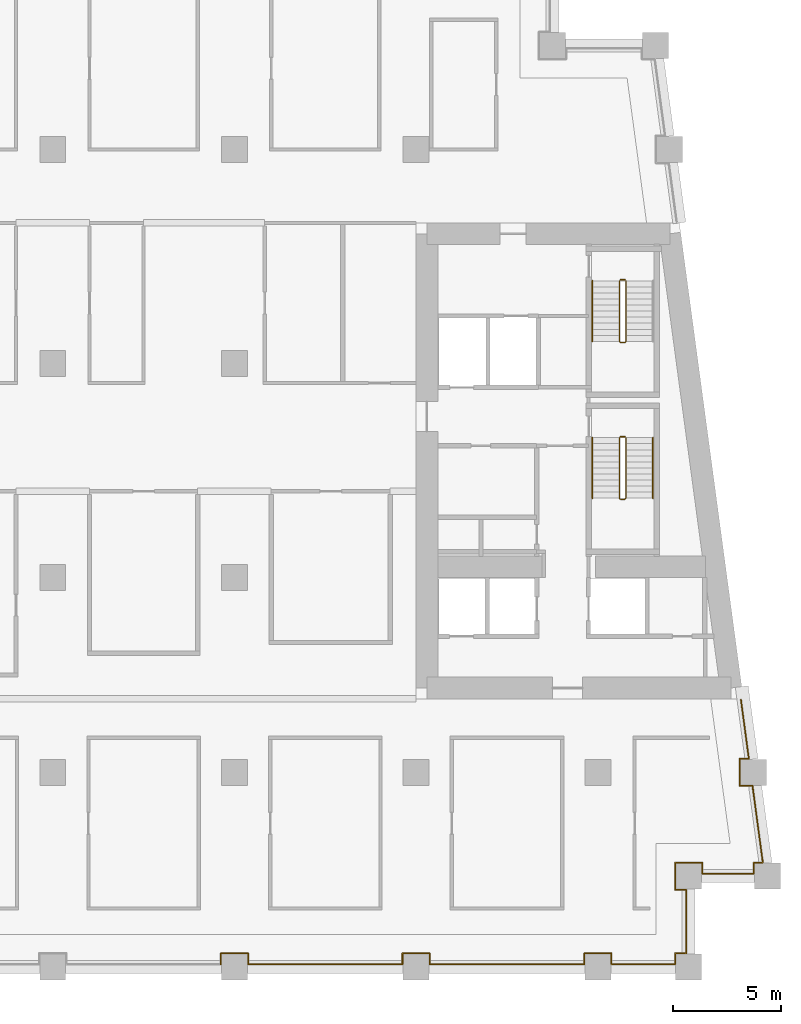
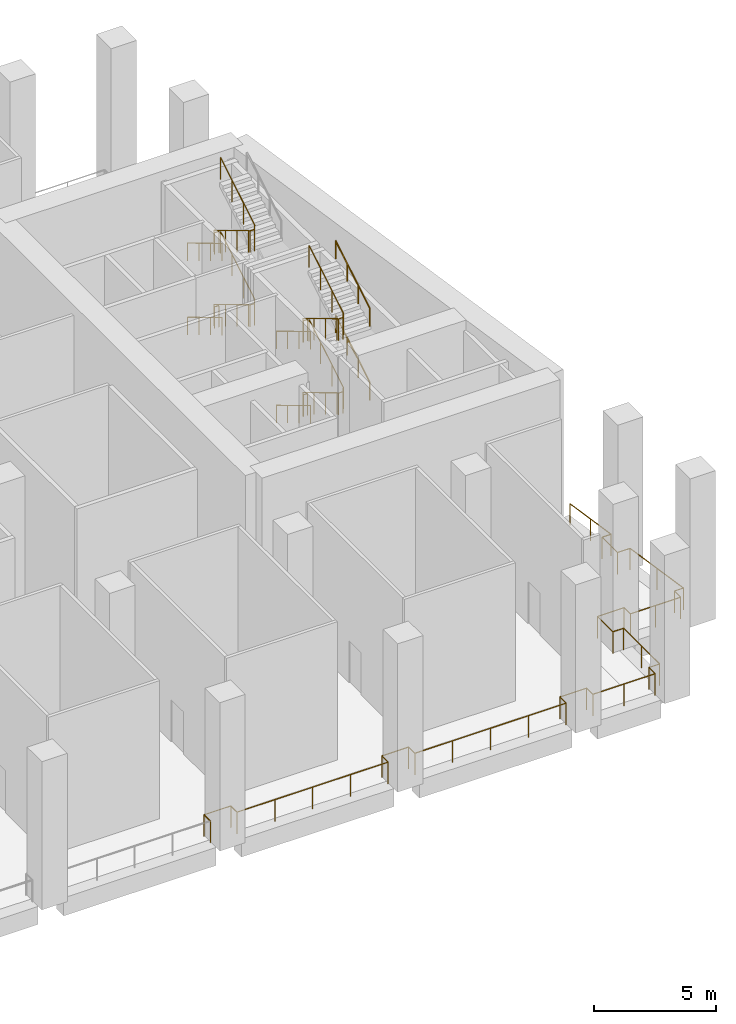
# One storey, part 9 of 10: 22 railings.
"""IFC4 building model written with IfcOpenShell, lengths in metres."""

import ifcopenshell
import ifcopenshell.guid

model = None  # the IFC model being written
_history = None  # IfcOwnerHistory: only IFC2X3 demands one
_inside = {}  # id of a spatial element -> (the spatial element, [elements in it])
_under = {}  # id of a project, library or spatial element -> (it, [spatial elements below it])
_declared = {}  # id of a project -> (the project, [libraries it declares])
_typed = {}  # id of a type object -> (the type object, [elements of that type])
_made_of = {}  # id of a material, layer set ... -> (it, [elements and type objects made of it])


def new_model(schema):
    """Start an empty IFC model of exactly this schema.

    Asked for "IFC4X3", IfcOpenShell would pick the latest addendum, in which some entities
    have other attributes; the version numbers below select the first issue.
    IFC2X3 requires an IfcOwnerHistory on every rooted entity: one is made here for all.
    """
    global model, _history
    if schema == "IFC4X3":
        model = ifcopenshell.file(schema_version=(4, 3, 0, 0))
    else:
        model = ifcopenshell.file(schema=schema)
    _inside.clear()
    _under.clear()
    _declared.clear()
    _typed.clear()
    _made_of.clear()
    _history = None
    if model.schema == "IFC2X3":
        org = make("IfcOrganization", Name="unknown")
        user = make(
            "IfcPersonAndOrganization",
            ThePerson=make("IfcPerson", FamilyName="unknown"),
            TheOrganization=org,
        )
        app = make(
            "IfcApplication",
            ApplicationDeveloper=org,
            Version="unknown",
            ApplicationFullName="unknown",
            ApplicationIdentifier="unknown",
        )
        _history = make(
            "IfcOwnerHistory",
            OwningUser=user,
            OwningApplication=app,
            ChangeAction="ADDED",
            CreationDate=0,
        )
    return model


def make(cls, **values):
    """One entity of the class cls with the attributes given. An attribute that is None is left unset."""
    return model.create_entity(
        cls, **{name: value for name, value in values.items() if value is not None}
    )


def rooted(cls, **values):
    """An entity with a GlobalId (a new one), such as an element, a storey or a relation."""
    return make(cls, GlobalId=ifcopenshell.guid.new(), OwnerHistory=_history, **values)


def si_unit(unit_type, name, prefix=None):
    """IfcSIUnit, for example si_unit("LENGTHUNIT", "METRE", prefix="MILLI")."""
    return make("IfcSIUnit", UnitType=unit_type, Prefix=prefix, Name=name)


def assignment(units):
    """IfcUnitAssignment: the units of a project."""
    return None if units is None else make("IfcUnitAssignment", Units=units)


def point(xyz):
    """IfcCartesianPoint."""
    return None if xyz is None else make("IfcCartesianPoint", Coordinates=xyz)


def direction(xyz):
    """IfcDirection."""
    return None if xyz is None else make("IfcDirection", DirectionRatios=xyz)


def frame(location, z_axis=None, x_axis=None):
    """IfcAxis2Placement3D, a coordinate frame: its origin and axes. An axis left out is left unset."""
    return make(
        "IfcAxis2Placement3D",
        Location=point(location),
        Axis=direction(z_axis),
        RefDirection=direction(x_axis),
    )


def frame_2d(location, x_axis=None):
    """IfcAxis2Placement2D, a coordinate frame in the plane: its origin and x axis."""
    return make(
        "IfcAxis2Placement2D", Location=point(location), RefDirection=direction(x_axis)
    )


def origin():
    """The frame at (0, 0, 0) with its axes left unset."""
    return frame((0.0, 0.0, 0.0))


def origin_2d():
    """The frame at (0, 0) in the plane with its x axis left unset."""
    return frame_2d((0.0, 0.0))


def place(relative_to, where):
    """IfcLocalPlacement: puts the frame where relative to a parent placement (None: the world)."""
    return make(
        "IfcLocalPlacement", PlacementRelTo=relative_to, RelativePlacement=where
    )


def context(
    kind, dimensions, precision=None, world=None, true_north=None, identifier=None
):
    """IfcGeometricRepresentationContext, for example the 3D "Model" context."""
    return make(
        "IfcGeometricRepresentationContext",
        ContextIdentifier=identifier,
        ContextType=kind,
        CoordinateSpaceDimension=dimensions,
        Precision=precision,
        WorldCoordinateSystem=world,
        TrueNorth=true_north,
    )


def subcontext(parent, identifier, kind, view, scale=None):
    """IfcGeometricRepresentationSubContext, for example "Body" below "Model"."""
    return make(
        "IfcGeometricRepresentationSubContext",
        ContextIdentifier=identifier,
        ContextType=kind,
        ParentContext=parent,
        TargetScale=scale,
        TargetView=view,
    )


def project(units=None, contexts=None):
    """IfcProject with its units and contexts."""
    return rooted(
        "IfcProject",
        Name="project",
        RepresentationContexts=contexts,
        UnitsInContext=assignment(units),
    )


def spatial(cls, under=None, at=None, **own):
    """A site, building, storey or space (cls), placed at a placement, below another one or the project."""
    s = rooted(cls, ObjectPlacement=at, **own)
    if under is not None:
        _under.setdefault(under.id(), (under, []))[1].append(s)
    return s


def profile(cls, at=None, kind="AREA", **sizes):
    """A parametric profile (cls). Its sizes go by their IFC names, for example OverallWidth=200.0."""
    return make(cls, ProfileType=kind, Position=at, **sizes)


def circle(**sizes):
    """IfcCircleProfileDef."""
    return profile("IfcCircleProfileDef", **sizes)


def extrude(swept, where, along, depth):
    """IfcExtrudedAreaSolid: the profile swept, set in the frame where, extruded along a direction by depth."""
    return make(
        "IfcExtrudedAreaSolid",
        SweptArea=swept,
        Position=where,
        ExtrudedDirection=direction(along),
        Depth=depth,
    )


def shape(context_of_items, identifier, shape_type, items):
    """IfcShapeRepresentation: the items that make up one representation, for example the "Body"."""
    return make(
        "IfcShapeRepresentation",
        ContextOfItems=context_of_items,
        RepresentationIdentifier=identifier,
        RepresentationType=shape_type,
        Items=items,
    )


def material(Name=None, Category=None):
    """IfcMaterial."""
    return make("IfcMaterial", Name=Name, Category=Category)


def made_of(thing, what):
    """Note that an element or type object is made of a material, layer set ...; save() writes the relation."""
    if what is not None:
        _made_of.setdefault(what.id(), (what, []))[1].append(thing)
    return thing


def type_object(cls, material=None, **own):
    """A type object (cls), such as IfcWallType, which elements share."""
    return made_of(rooted(cls, **own), material)


def element(
    cls,
    number,
    at=None,
    inside=None,
    cuts=None,
    type_object=None,
    material=None,
    context=None,
    identifier="Body",
    shape_type=None,
    held_by="IfcProductDefinitionShape",
    body=None,
    shapes=None,
    **own,
):
    """One element of the class cls, such as IfcWall. Its Tag is "e" and its number.

    at: its placement. inside: the storey or other place that contains it. cuts: it is an
    opening in that element (IfcRelVoidsElement). A single representation is given by context,
    identifier, shape_type and body (its items); several are given by shapes. held_by: the class
    of the entity that holds the representations. save() writes the other relations.
    """
    e = rooted(cls, Tag="e%d" % number, ObjectPlacement=at, **own)
    if body is not None:
        shapes = [shape(context, identifier, shape_type, body)]
    if shapes is not None:
        e.Representation = make(held_by, Representations=shapes)
    if inside is not None:
        _inside.setdefault(inside.id(), (inside, []))[1].append(e)
    if cuts is not None:
        rooted(
            "IfcRelVoidsElement", RelatingBuildingElement=cuts, RelatedOpeningElement=e
        )
    if type_object is not None:
        _typed.setdefault(type_object.id(), (type_object, []))[1].append(e)
    return made_of(e, material)


def aggregate(whole, parts):
    """IfcRelAggregates: a whole, such as a stair, and the parts it consists of."""
    return rooted("IfcRelAggregates", RelatingObject=whole, RelatedObjects=parts)


def save(model, path):
    """Write the relations noted so far, then the file.

    IfcRelAggregates (storeys below a building ...), IfcRelContainedInSpatialStructure (elements
    in a storey), IfcRelDefinesByType, IfcRelAssociatesMaterial and IfcRelDeclares: one each for
    every whole, place, type object, material and project.
    """
    for whole, parts in _under.values():
        aggregate(whole, parts)
    for where, things in _inside.values():
        rooted(
            "IfcRelContainedInSpatialStructure",
            RelatedElements=things,
            RelatingStructure=where,
        )
    for kind, things in _typed.values():
        rooted("IfcRelDefinesByType", RelatedObjects=things, RelatingType=kind)
    for what, things in _made_of.values():
        rooted("IfcRelAssociatesMaterial", RelatedObjects=things, RelatingMaterial=what)
    for by, libraries in _declared.values():
        rooted("IfcRelDeclares", RelatingContext=by, RelatedDefinitions=libraries)
    model.write(path)


model = new_model("IFC4")

# Units and contexts
model_context = context("Model", 3, precision=1e-05, world=origin(), true_north=direction((0.0, 1.0)))
body_context = subcontext(model_context, "Body", "Model", "MODEL_VIEW")
ifc_project = project(units=[si_unit("LENGTHUNIT", "METRE"), si_unit("AREAUNIT", "SQUARE_METRE"), si_unit("VOLUMEUNIT", "CUBIC_METRE"), si_unit("PLANEANGLEUNIT", "RADIAN"), si_unit("MASSUNIT", "GRAM", prefix="KILO")], contexts=[model_context])

# Site, building, storey
site_placement = place(None, origin())
site = spatial("IfcSite", under=ifc_project, at=site_placement, CompositionType="ELEMENT")
building_placement = place(site_placement, origin())
building = spatial("IfcBuilding", under=site, at=building_placement, Name="Candeia Pilgrim Tower and Theatre", CompositionType="ELEMENT")
storey_placement = place(building_placement, frame((0.0, 0.0, 135.39990234375)))
storey = spatial("IfcBuildingStorey", under=building, at=storey_placement, Name="L32", CompositionType="ELEMENT", Elevation=135.39990234375)

# Railings
ifc_material_1 = material(Name="Stainless steel balustrade", Category="steel")
railing_type_1 = type_object("IfcRailingType", Name="G1 loggia guard 1100", PredefinedType="GUARDRAIL", material=ifc_material_1)
railing_1_placement = place(storey_placement, frame((141.016357421875, 110.35009765625, 0.0)))
element("IfcRailing", 1, at=railing_1_placement, inside=storey, type_object=railing_type_1, Name="Guard L32.17", PredefinedType="GUARDRAIL", context=body_context, shape_type="SweptSolid", body=[
    extrude(circle(Radius=0.02392578125, at=origin_2d()), frame((0.0, 0.0, 1.076171875), z_axis=(0.1334220927, -0.991059304572, 0.0), x_axis=(0.991059304572, 0.1334220927, 0.0)), (0.0, 0.0, 1.0), 2.744873046875),
    extrude(circle(Radius=0.02392578125, at=origin_2d()), frame((0.3662109375, -2.72021484375, 1.076171875), z_axis=(-1.0, 0.0, 0.0), x_axis=(0.0, -1.0, 0.0)), (0.0, 0.0, 1.0), 0.424072265625),
    extrude(circle(Radius=0.02392578125, at=origin_2d()), frame((-0.057861328125, -2.72021484375, 1.076171875), z_axis=(0.0, -1.0, 0.0), x_axis=(1.0, 0.0, 0.0)), (0.0, 0.0, 1.0), 1.259765625),
    extrude(circle(Radius=0.02392578125, at=origin_2d()), frame((-0.057861328125, -3.97998046875, 1.076171875), z_axis=(1.0, 0.0, 0.0), x_axis=(0.0, 1.0, 0.0)), (0.0, 0.0, 1.0), 0.59375),
    extrude(circle(Radius=0.02099609375, at=origin_2d()), origin(), (0.0, 0.0, 1.0), 1.052001953125),
    extrude(circle(Radius=0.02099609375, at=origin_2d()), frame((0.18310546875, -1.360107421875, 0.0)), (0.0, 0.0, 1.0), 1.052001953125),
    extrude(circle(Radius=0.02099609375, at=origin_2d()), frame((0.3662109375, -2.72021484375, 0.0)), (0.0, 0.0, 1.0), 1.052001953125),
    extrude(circle(Radius=0.02099609375, at=origin_2d()), frame((-0.057861328125, -2.72021484375, 0.0)), (0.0, 0.0, 1.0), 1.052001953125),
    extrude(circle(Radius=0.02099609375, at=origin_2d()), frame((-0.057861328125, -3.97998046875, 0.0)), (0.0, 0.0, 1.0), 1.052001953125),
    extrude(circle(Radius=0.02099609375, at=origin_2d()), frame((0.535888671875, -3.97998046875, 0.0)), (0.0, 0.0, 1.0), 1.052001953125),
])
railing_2_placement = place(storey_placement, frame((141.55224609375, 106.3701171875, 0.0)))
element("IfcRailing", 2, at=railing_2_placement, inside=storey, type_object=railing_type_1, Name="Guard L32.18", PredefinedType="GUARDRAIL", context=body_context, shape_type="SweptSolid", body=[
    extrude(circle(Radius=0.02392578125, at=origin_2d()), frame((0.0, 0.0, 1.076171875), z_axis=(0.133417176173, -0.991059966451, 0.0), x_axis=(0.991059966451, 0.133417176173, 0.0)), (0.0, 0.0, 1.0), 3.572021484375),
    extrude(circle(Radius=0.02392578125, at=origin_2d()), frame((0.4765625, -3.5400390625, 1.076171875), z_axis=(-1.0, 0.0, 0.0), x_axis=(0.0, -1.0, 0.0)), (0.0, 0.0, 1.0), 0.424072265625),
    extrude(circle(Radius=0.02392578125, at=origin_2d()), frame((0.052490234375, -3.5400390625, 1.076171875), z_axis=(0.0, -1.0, 0.0), x_axis=(1.0, 0.0, 0.0)), (0.0, 0.0, 1.0), 0.510009765625),
    extrude(circle(Radius=0.02392578125, at=origin_2d()), frame((0.052490234375, -4.050048828125, 1.076171875), z_axis=(-1.0, 0.0, 0.0), x_axis=(0.0, -1.0, 0.0)), (0.0, 0.0, 1.0), 2.374755859375),
    extrude(circle(Radius=0.02392578125, at=origin_2d()), frame((-2.322265625, -4.050048828125, 1.076171875), z_axis=(0.0, 1.0, 0.0), x_axis=(-1.0, 0.0, 0.0)), (0.0, 0.0, 1.0), 0.510009765625),
    extrude(circle(Radius=0.02099609375, at=origin_2d()), origin(), (0.0, 0.0, 1.0), 1.052001953125),
    extrude(circle(Radius=0.02099609375, at=origin_2d()), frame((0.23828125, -1.77001953125, 0.0)), (0.0, 0.0, 1.0), 1.052001953125),
    extrude(circle(Radius=0.02099609375, at=origin_2d()), frame((0.4765625, -3.5400390625, 0.0)), (0.0, 0.0, 1.0), 1.052001953125),
    extrude(circle(Radius=0.02099609375, at=origin_2d()), frame((0.052490234375, -3.5400390625, 0.0)), (0.0, 0.0, 1.0), 1.052001953125),
    extrude(circle(Radius=0.02099609375, at=origin_2d()), frame((0.052490234375, -4.050048828125, 0.0)), (0.0, 0.0, 1.0), 1.052001953125),
    extrude(circle(Radius=0.02099609375, at=origin_2d()), frame((-1.134765625, -4.050048828125, 0.0)), (0.0, 0.0, 1.0), 1.052001953125),
    extrude(circle(Radius=0.02099609375, at=origin_2d()), frame((-2.322265625, -4.050048828125, 0.0)), (0.0, 0.0, 1.0), 1.052001953125),
    extrude(circle(Radius=0.02099609375, at=origin_2d()), frame((-2.322265625, -3.5400390625, 0.0)), (0.0, 0.0, 1.0), 1.052001953125),
])
railing_3_placement = place(storey_placement, frame((139.22998046875, 102.830078125, 0.0)))
element("IfcRailing", 3, at=railing_3_placement, inside=storey, type_object=railing_type_1, Name="Guard L32.19", PredefinedType="GUARDRAIL", context=body_context, shape_type="SweptSolid", body=[
    extrude(circle(Radius=0.02392578125, at=origin_2d()), frame((0.0, 0.0, 1.076171875), z_axis=(-1.0, 0.0, 0.0), x_axis=(0.0, -1.0, 0.0)), (0.0, 0.0, 1.0), 1.260009765625),
    extrude(circle(Radius=0.02392578125, at=origin_2d()), frame((-1.260009765625, 0.0, 1.076171875), z_axis=(0.0, -1.0, 0.0), x_axis=(1.0, 0.0, 0.0)), (0.0, 0.0, 1.0), 1.260009765625),
    extrude(circle(Radius=0.02392578125, at=origin_2d()), frame((-1.260009765625, -1.260009765625, 1.076171875), z_axis=(1.0, 0.0, 0.0), x_axis=(0.0, 1.0, 0.0)), (0.0, 0.0, 1.0), 0.510009765625),
    extrude(circle(Radius=0.02392578125, at=origin_2d()), frame((-0.75, -1.260009765625, 1.076171875), z_axis=(0.0, -1.0, 0.0), x_axis=(1.0, 0.0, 0.0)), (0.0, 0.0, 1.0), 2.940185546875),
    extrude(circle(Radius=0.02392578125, at=origin_2d()), frame((-0.75, -4.2001953125, 1.076171875), z_axis=(-1.0, 0.0, 0.0), x_axis=(0.0, -1.0, 0.0)), (0.0, 0.0, 1.0), 0.510009765625),
    extrude(circle(Radius=0.02392578125, at=origin_2d()), frame((-1.260009765625, -4.2001953125, 1.076171875), z_axis=(0.0, -1.0, 0.0), x_axis=(1.0, 0.0, 0.0)), (0.0, 0.0, 1.0), 0.509765625),
    extrude(circle(Radius=0.02099609375, at=origin_2d()), origin(), (0.0, 0.0, 1.0), 1.052001953125),
    extrude(circle(Radius=0.02099609375, at=origin_2d()), frame((-1.260009765625, 0.0, 0.0)), (0.0, 0.0, 1.0), 1.052001953125),
    extrude(circle(Radius=0.02099609375, at=origin_2d()), frame((-1.260009765625, -1.260009765625, 0.0)), (0.0, 0.0, 1.0), 1.052001953125),
    extrude(circle(Radius=0.02099609375, at=origin_2d()), frame((-0.75, -1.260009765625, 0.0)), (0.0, 0.0, 1.0), 1.052001953125),
    extrude(circle(Radius=0.02099609375, at=origin_2d()), frame((-0.75, -2.72998046875, 0.0)), (0.0, 0.0, 1.0), 1.052001953125),
    extrude(circle(Radius=0.02099609375, at=origin_2d()), frame((-0.75, -4.2001953125, 0.0)), (0.0, 0.0, 1.0), 1.052001953125),
    extrude(circle(Radius=0.02099609375, at=origin_2d()), frame((-1.260009765625, -4.2001953125, 0.0)), (0.0, 0.0, 1.0), 1.052001953125),
    extrude(circle(Radius=0.02099609375, at=origin_2d()), frame((-1.260009765625, -4.7099609375, 0.0)), (0.0, 0.0, 1.0), 1.052001953125),
])
railing_4_placement = place(storey_placement, frame((137.969970703125, 98.1201171875, 0.0)))
element("IfcRailing", 4, at=railing_4_placement, inside=storey, type_object=railing_type_1, Name="Guard L32.20", PredefinedType="GUARDRAIL", context=body_context, shape_type="SweptSolid", body=[
    extrude(circle(Radius=0.02392578125, at=origin_2d()), frame((0.0, 0.0, 1.076171875), z_axis=(-1.0, 0.0, 0.0), x_axis=(0.0, -1.0, 0.0)), (0.0, 0.0, 1.0), 2.93994140625),
    extrude(circle(Radius=0.02392578125, at=origin_2d()), frame((-2.93994140625, 0.0, 1.076171875), z_axis=(0.0, 1.0, 0.0), x_axis=(-1.0, 0.0, 0.0)), (0.0, 0.0, 1.0), 0.509765625),
    extrude(circle(Radius=0.02392578125, at=origin_2d()), frame((-2.93994140625, 0.509765625, 1.076171875), z_axis=(-1.0, 0.0, 0.0), x_axis=(0.0, -1.0, 0.0)), (0.0, 0.0, 1.0), 1.260009765625),
    extrude(circle(Radius=0.02392578125, at=origin_2d()), frame((-4.199951171875, 0.509765625, 1.076171875), z_axis=(0.0, -1.0, 0.0), x_axis=(1.0, 0.0, 0.0)), (0.0, 0.0, 1.0), 0.509765625),
    extrude(circle(Radius=0.02099609375, at=origin_2d()), origin(), (0.0, 0.0, 1.0), 1.052001953125),
    extrude(circle(Radius=0.02099609375, at=origin_2d()), frame((-1.469970703125, 0.0, 0.0)), (0.0, 0.0, 1.0), 1.052001953125),
    extrude(circle(Radius=0.02099609375, at=origin_2d()), frame((-2.93994140625, 0.0, 0.0)), (0.0, 0.0, 1.0), 1.052001953125),
    extrude(circle(Radius=0.02099609375, at=origin_2d()), frame((-2.93994140625, 0.509765625, 0.0)), (0.0, 0.0, 1.0), 1.052001953125),
    extrude(circle(Radius=0.02099609375, at=origin_2d()), frame((-4.199951171875, 0.509765625, 0.0)), (0.0, 0.0, 1.0), 1.052001953125),
    extrude(circle(Radius=0.02099609375, at=origin_2d()), frame((-4.199951171875, 0.0, 0.0)), (0.0, 0.0, 1.0), 1.052001953125),
])
railing_5_placement = place(storey_placement, frame((133.77001953125, 98.1201171875, 0.0)))
element("IfcRailing", 5, at=railing_5_placement, inside=storey, type_object=railing_type_1, Name="Guard L32.21", PredefinedType="GUARDRAIL", context=body_context, shape_type="SweptSolid", body=[
    extrude(circle(Radius=0.02392578125, at=origin_2d()), frame((0.0, 0.0, 1.076171875), z_axis=(-1.0, 0.0, 0.0), x_axis=(0.0, -1.0, 0.0)), (0.0, 0.0, 1.0), 7.14013671875),
    extrude(circle(Radius=0.02392578125, at=origin_2d()), frame((-7.14013671875, 0.0, 1.076171875), z_axis=(0.0, 1.0, 0.0), x_axis=(-1.0, 0.0, 0.0)), (0.0, 0.0, 1.0), 0.509765625),
    extrude(circle(Radius=0.02099609375, at=origin_2d()), origin(), (0.0, 0.0, 1.0), 1.052001953125),
    extrude(circle(Radius=0.02099609375, at=origin_2d()), frame((-1.78515625, 0.0, 0.0)), (0.0, 0.0, 1.0), 1.052001953125),
    extrude(circle(Radius=0.02099609375, at=origin_2d()), frame((-3.570068359375, 0.0, 0.0)), (0.0, 0.0, 1.0), 1.052001953125),
    extrude(circle(Radius=0.02099609375, at=origin_2d()), frame((-5.35498046875, 0.0, 0.0)), (0.0, 0.0, 1.0), 1.052001953125),
    extrude(circle(Radius=0.02099609375, at=origin_2d()), frame((-7.14013671875, 0.0, 0.0)), (0.0, 0.0, 1.0), 1.052001953125),
    extrude(circle(Radius=0.02099609375, at=origin_2d()), frame((-7.14013671875, 0.509765625, 0.0)), (0.0, 0.0, 1.0), 1.052001953125),
])
railing_6_placement = place(storey_placement, frame((126.6298828125, 98.6298828125, 0.0)))
element("IfcRailing", 6, at=railing_6_placement, inside=storey, type_object=railing_type_1, Name="Guard L32.22", PredefinedType="GUARDRAIL", context=body_context, shape_type="SweptSolid", body=[
    extrude(circle(Radius=0.02392578125, at=origin_2d()), frame((0.0, 0.0, 1.076171875), z_axis=(-1.0, 0.0, 0.0), x_axis=(0.0, -1.0, 0.0)), (0.0, 0.0, 1.0), 1.259765625),
    extrude(circle(Radius=0.02392578125, at=origin_2d()), frame((-1.259765625, 0.0, 1.076171875), z_axis=(0.0, -1.0, 0.0), x_axis=(1.0, 0.0, 0.0)), (0.0, 0.0, 1.0), 0.509765625),
    extrude(circle(Radius=0.02099609375, at=origin_2d()), origin(), (0.0, 0.0, 1.0), 1.052001953125),
    extrude(circle(Radius=0.02099609375, at=origin_2d()), frame((-1.259765625, 0.0, 0.0)), (0.0, 0.0, 1.0), 1.052001953125),
    extrude(circle(Radius=0.02099609375, at=origin_2d()), frame((-1.259765625, -0.509765625, 0.0)), (0.0, 0.0, 1.0), 1.052001953125),
])
railing_7_placement = place(storey_placement, frame((125.3701171875, 98.1201171875, 0.0)))
element("IfcRailing", 7, at=railing_7_placement, inside=storey, type_object=railing_type_1, Name="Guard L32.23", PredefinedType="GUARDRAIL", context=body_context, shape_type="SweptSolid", body=[
    extrude(circle(Radius=0.02392578125, at=origin_2d()), frame((0.0, 0.0, 1.076171875), z_axis=(-1.0, 0.0, 0.0), x_axis=(0.0, -1.0, 0.0)), (0.0, 0.0, 1.0), 7.14013671875),
    extrude(circle(Radius=0.02392578125, at=origin_2d()), frame((-7.14013671875, 0.0, 1.076171875), z_axis=(0.0, 1.0, 0.0), x_axis=(-1.0, 0.0, 0.0)), (0.0, 0.0, 1.0), 0.509765625),
    extrude(circle(Radius=0.02099609375, at=origin_2d()), origin(), (0.0, 0.0, 1.0), 1.052001953125),
    extrude(circle(Radius=0.02099609375, at=origin_2d()), frame((-1.78515625, 0.0, 0.0)), (0.0, 0.0, 1.0), 1.052001953125),
    extrude(circle(Radius=0.02099609375, at=origin_2d()), frame((-3.570068359375, 0.0, 0.0)), (0.0, 0.0, 1.0), 1.052001953125),
    extrude(circle(Radius=0.02099609375, at=origin_2d()), frame((-5.35498046875, 0.0, 0.0)), (0.0, 0.0, 1.0), 1.052001953125),
    extrude(circle(Radius=0.02099609375, at=origin_2d()), frame((-7.14013671875, 0.0, 0.0)), (0.0, 0.0, 1.0), 1.052001953125),
    extrude(circle(Radius=0.02099609375, at=origin_2d()), frame((-7.14013671875, 0.509765625, 0.0)), (0.0, 0.0, 1.0), 1.052001953125),
])
railing_8_placement = place(storey_placement, frame((118.22998046875, 98.6298828125, 0.0)))
element("IfcRailing", 8, at=railing_8_placement, inside=storey, type_object=railing_type_1, Name="Guard L32.24", PredefinedType="GUARDRAIL", context=body_context, shape_type="SweptSolid", body=[
    extrude(circle(Radius=0.02392578125, at=origin_2d()), frame((0.0, 0.0, 1.076171875), z_axis=(-1.0, 0.0, 0.0), x_axis=(0.0, -1.0, 0.0)), (0.0, 0.0, 1.0), 1.260009765625),
    extrude(circle(Radius=0.02392578125, at=origin_2d()), frame((-1.260009765625, 0.0, 1.076171875), z_axis=(0.0, -1.0, 0.0), x_axis=(1.0, 0.0, 0.0)), (0.0, 0.0, 1.0), 0.509765625),
    extrude(circle(Radius=0.02099609375, at=origin_2d()), origin(), (0.0, 0.0, 1.0), 1.052001953125),
    extrude(circle(Radius=0.02099609375, at=origin_2d()), frame((-1.260009765625, 0.0, 0.0)), (0.0, 0.0, 1.0), 1.052001953125),
    extrude(circle(Radius=0.02099609375, at=origin_2d()), frame((-1.260009765625, -0.509765625, 0.0)), (0.0, 0.0, 1.0), 1.052001953125),
])
railing_type_2 = type_object("IfcRailingType", Name="RL-GUARD-1100", PredefinedType="GUARDRAIL", material=ifc_material_1)
railing_9_placement = place(storey_placement, frame((135.39794921875, 122.47509765625, 0.168212890625)))
element("IfcRailing", 9, at=railing_9_placement, inside=storey, type_object=railing_type_2, Name="L32 ST3 stair guard 1", PredefinedType="GUARDRAIL", context=body_context, shape_type="SweptSolid", body=[
    extrude(circle(Radius=0.02392578125, at=origin_2d()), frame((0.0, 0.0, 1.076171875), z_axis=(0.0, -0.857242210791, 0.514913383045), x_axis=(1.0, 0.0, 0.0)), (0.0, 0.0, 1.0), 3.266357421875),
    extrude(circle(Radius=0.02392578125, at=origin_2d()), frame((0.0, -2.800048828125, 2.7578125), z_axis=(0.707106781187, -0.707106781187, 0.0), x_axis=(0.707106781187, 0.707106781187, 0.0)), (0.0, 0.0, 1.0), 0.07080078125),
    extrude(circle(Radius=0.02392578125, at=origin_2d()), frame((0.050048828125, -2.85009765625, 2.7578125), z_axis=(1.0, 0.0, 0.0), x_axis=(0.0, 1.0, 0.0)), (0.0, 0.0, 1.0), 0.199951171875),
    extrude(circle(Radius=0.02392578125, at=origin_2d()), frame((0.25, -2.85009765625, 2.7578125), z_axis=(0.274243871929, 0.274243871929, 0.92172696468), x_axis=(-0.707106781187, 0.707106781187, 0.0)), (0.0, 0.0, 1.0), 0.1826171875),
    extrude(circle(Radius=0.02392578125, at=origin_2d()), frame((0.300048828125, -2.800048828125, 2.92626953125), z_axis=(0.0, 0.857242210791, 0.514913383045), x_axis=(-1.0, 0.0, 0.0)), (0.0, 0.0, 1.0), 3.266357421875),
    extrude(circle(Radius=0.02099609375, at=origin_2d()), origin(), (0.0, 0.0, 1.0), 1.052001953125),
    extrude(circle(Radius=0.02099609375, at=origin_2d()), frame((0.0, -0.933349609375, 0.560546875)), (0.0, 0.0, 1.0), 1.052001953125),
    extrude(circle(Radius=0.02099609375, at=origin_2d()), frame((0.0, -1.86669921875, 1.121337890625)), (0.0, 0.0, 1.0), 1.052001953125),
    extrude(circle(Radius=0.02099609375, at=origin_2d()), frame((0.0, -2.800048828125, 1.681884765625)), (0.0, 0.0, 1.0), 1.052001953125),
    extrude(circle(Radius=0.02099609375, at=origin_2d()), frame((0.050048828125, -2.85009765625, 1.681884765625)), (0.0, 0.0, 1.0), 1.052001953125),
    extrude(circle(Radius=0.02099609375, at=origin_2d()), frame((0.25, -2.85009765625, 1.681884765625)), (0.0, 0.0, 1.0), 1.052001953125),
    extrude(circle(Radius=0.02099609375, at=origin_2d()), frame((0.300048828125, -2.800048828125, 1.85009765625)), (0.0, 0.0, 1.0), 1.052001953125),
    extrude(circle(Radius=0.02099609375, at=origin_2d()), frame((0.300048828125, -1.86669921875, 2.41064453125)), (0.0, 0.0, 1.0), 1.052001953125),
    extrude(circle(Radius=0.02099609375, at=origin_2d()), frame((0.300048828125, -0.933349609375, 2.971435546875)), (0.0, 0.0, 1.0), 1.052001953125),
    extrude(circle(Radius=0.02099609375, at=origin_2d()), frame((0.300048828125, 0.0, 3.531982421875)), (0.0, 0.0, 1.0), 1.052001953125),
])
railing_10_placement = place(storey_placement, frame((135.447998046875, 122.52490234375, 3.7001953125)))
element("IfcRailing", 10, at=railing_10_placement, inside=storey, type_object=railing_type_2, Name="L32 ST3 stair guard 2", PredefinedType="GUARDRAIL", context=body_context, shape_type="SweptSolid", body=[
    extrude(circle(Radius=0.02392578125, at=origin_2d()), frame((0.0, 0.0, 1.076171875), z_axis=(1.0, 0.0, 0.0), x_axis=(0.0, 1.0, 0.0)), (0.0, 0.0, 1.0), 0.199951171875),
    extrude(circle(Radius=0.02099609375, at=origin_2d()), origin(), (0.0, 0.0, 1.0), 1.052001953125),
    extrude(circle(Radius=0.02099609375, at=origin_2d()), frame((0.199951171875, 0.0, 0.0)), (0.0, 0.0, 1.0), 1.052001953125),
])
railing_11_placement = place(storey_placement, frame((135.39794921875, 122.47509765625, 3.8681640625)))
element("IfcRailing", 11, at=railing_11_placement, inside=storey, type_object=railing_type_2, Name="L32 ST3 stair guard 3", PredefinedType="GUARDRAIL", context=body_context, shape_type="SweptSolid", body=[
    extrude(circle(Radius=0.02392578125, at=origin_2d()), frame((0.0, 0.0, 1.076171875), z_axis=(0.0, -0.857242210791, 0.514913383045), x_axis=(1.0, 0.0, 0.0)), (0.0, 0.0, 1.0), 3.266357421875),
    extrude(circle(Radius=0.02392578125, at=origin_2d()), frame((0.0, -2.800048828125, 2.7578125), z_axis=(0.707106781187, -0.707106781187, 0.0), x_axis=(0.707106781187, 0.707106781187, 0.0)), (0.0, 0.0, 1.0), 0.07080078125),
    extrude(circle(Radius=0.02392578125, at=origin_2d()), frame((0.050048828125, -2.85009765625, 2.7578125), z_axis=(1.0, 0.0, 0.0), x_axis=(0.0, 1.0, 0.0)), (0.0, 0.0, 1.0), 0.199951171875),
    extrude(circle(Radius=0.02392578125, at=origin_2d()), frame((0.25, -2.85009765625, 2.7578125), z_axis=(0.274243871929, 0.274243871929, 0.92172696468), x_axis=(-0.707106781187, 0.707106781187, 0.0)), (0.0, 0.0, 1.0), 0.1826171875),
    extrude(circle(Radius=0.02392578125, at=origin_2d()), frame((0.300048828125, -2.800048828125, 2.92626953125), z_axis=(0.0, 0.857242210791, 0.514913383045), x_axis=(-1.0, 0.0, 0.0)), (0.0, 0.0, 1.0), 3.266357421875),
    extrude(circle(Radius=0.02099609375, at=origin_2d()), origin(), (0.0, 0.0, 1.0), 1.052001953125),
    extrude(circle(Radius=0.02099609375, at=origin_2d()), frame((0.0, -0.933349609375, 0.560546875)), (0.0, 0.0, 1.0), 1.052001953125),
    extrude(circle(Radius=0.02099609375, at=origin_2d()), frame((0.0, -1.86669921875, 1.121337890625)), (0.0, 0.0, 1.0), 1.052001953125),
    extrude(circle(Radius=0.02099609375, at=origin_2d()), frame((0.0, -2.800048828125, 1.681884765625)), (0.0, 0.0, 1.0), 1.052001953125),
    extrude(circle(Radius=0.02099609375, at=origin_2d()), frame((0.050048828125, -2.85009765625, 1.681884765625)), (0.0, 0.0, 1.0), 1.052001953125),
    extrude(circle(Radius=0.02099609375, at=origin_2d()), frame((0.25, -2.85009765625, 1.681884765625)), (0.0, 0.0, 1.0), 1.052001953125),
    extrude(circle(Radius=0.02099609375, at=origin_2d()), frame((0.300048828125, -2.800048828125, 1.85009765625)), (0.0, 0.0, 1.0), 1.052001953125),
    extrude(circle(Radius=0.02099609375, at=origin_2d()), frame((0.300048828125, -1.86669921875, 2.41064453125)), (0.0, 0.0, 1.0), 1.052001953125),
    extrude(circle(Radius=0.02099609375, at=origin_2d()), frame((0.300048828125, -0.933349609375, 2.971435546875)), (0.0, 0.0, 1.0), 1.052001953125),
    extrude(circle(Radius=0.02099609375, at=origin_2d()), frame((0.300048828125, 0.0, 3.531982421875)), (0.0, 0.0, 1.0), 1.052001953125),
])
railing_12_placement = place(storey_placement, frame((135.447998046875, 122.52490234375, 0.0)))
element("IfcRailing", 12, at=railing_12_placement, inside=storey, type_object=railing_type_2, Name="L32 ST3 stair guard 4", PredefinedType="GUARDRAIL", context=body_context, shape_type="SweptSolid", body=[
    extrude(circle(Radius=0.02392578125, at=origin_2d()), frame((0.0, 0.0, 1.076171875), z_axis=(1.0, 0.0, 0.0), x_axis=(0.0, 1.0, 0.0)), (0.0, 0.0, 1.0), 0.199951171875),
    extrude(circle(Radius=0.02099609375, at=origin_2d()), origin(), (0.0, 0.0, 1.0), 1.052001953125),
    extrude(circle(Radius=0.02099609375, at=origin_2d()), frame((0.199951171875, 0.0, 0.0)), (0.0, 0.0, 1.0), 1.052001953125),
])
railing_13_placement = place(storey_placement, frame((135.39794921875, 129.72509765625, 0.168212890625)))
element("IfcRailing", 13, at=railing_13_placement, inside=storey, type_object=railing_type_2, Name="L32 ST4 stair guard 1", PredefinedType="GUARDRAIL", context=body_context, shape_type="SweptSolid", body=[
    extrude(circle(Radius=0.02392578125, at=origin_2d()), frame((0.0, 0.0, 1.076171875), z_axis=(0.0, -0.857242210791, 0.514913383045), x_axis=(1.0, 0.0, 0.0)), (0.0, 0.0, 1.0), 3.266357421875),
    extrude(circle(Radius=0.02392578125, at=origin_2d()), frame((0.0, -2.800048828125, 2.7578125), z_axis=(0.707106781187, -0.707106781187, 0.0), x_axis=(0.707106781187, 0.707106781187, 0.0)), (0.0, 0.0, 1.0), 0.07080078125),
    extrude(circle(Radius=0.02392578125, at=origin_2d()), frame((0.050048828125, -2.85009765625, 2.7578125), z_axis=(1.0, 0.0, 0.0), x_axis=(0.0, 1.0, 0.0)), (0.0, 0.0, 1.0), 0.199951171875),
    extrude(circle(Radius=0.02392578125, at=origin_2d()), frame((0.25, -2.85009765625, 2.7578125), z_axis=(0.274243871929, 0.274243871929, 0.92172696468), x_axis=(-0.707106781187, 0.707106781187, 0.0)), (0.0, 0.0, 1.0), 0.1826171875),
    extrude(circle(Radius=0.02392578125, at=origin_2d()), frame((0.300048828125, -2.800048828125, 2.92626953125), z_axis=(0.0, 0.857242210791, 0.514913383045), x_axis=(-1.0, 0.0, 0.0)), (0.0, 0.0, 1.0), 3.266357421875),
    extrude(circle(Radius=0.02099609375, at=origin_2d()), origin(), (0.0, 0.0, 1.0), 1.052001953125),
    extrude(circle(Radius=0.02099609375, at=origin_2d()), frame((0.0, -0.933349609375, 0.560546875)), (0.0, 0.0, 1.0), 1.052001953125),
    extrude(circle(Radius=0.02099609375, at=origin_2d()), frame((0.0, -1.86669921875, 1.121337890625)), (0.0, 0.0, 1.0), 1.052001953125),
    extrude(circle(Radius=0.02099609375, at=origin_2d()), frame((0.0, -2.800048828125, 1.681884765625)), (0.0, 0.0, 1.0), 1.052001953125),
    extrude(circle(Radius=0.02099609375, at=origin_2d()), frame((0.050048828125, -2.85009765625, 1.681884765625)), (0.0, 0.0, 1.0), 1.052001953125),
    extrude(circle(Radius=0.02099609375, at=origin_2d()), frame((0.25, -2.85009765625, 1.681884765625)), (0.0, 0.0, 1.0), 1.052001953125),
    extrude(circle(Radius=0.02099609375, at=origin_2d()), frame((0.300048828125, -2.800048828125, 1.85009765625)), (0.0, 0.0, 1.0), 1.052001953125),
    extrude(circle(Radius=0.02099609375, at=origin_2d()), frame((0.300048828125, -1.86669921875, 2.41064453125)), (0.0, 0.0, 1.0), 1.052001953125),
    extrude(circle(Radius=0.02099609375, at=origin_2d()), frame((0.300048828125, -0.933349609375, 2.971435546875)), (0.0, 0.0, 1.0), 1.052001953125),
    extrude(circle(Radius=0.02099609375, at=origin_2d()), frame((0.300048828125, 0.0, 3.531982421875)), (0.0, 0.0, 1.0), 1.052001953125),
])
railing_14_placement = place(storey_placement, frame((135.447998046875, 129.77490234375, 3.7001953125)))
element("IfcRailing", 14, at=railing_14_placement, inside=storey, type_object=railing_type_2, Name="L32 ST4 stair guard 2", PredefinedType="GUARDRAIL", context=body_context, shape_type="SweptSolid", body=[
    extrude(circle(Radius=0.02392578125, at=origin_2d()), frame((0.0, 0.0, 1.076171875), z_axis=(1.0, 0.0, 0.0), x_axis=(0.0, 1.0, 0.0)), (0.0, 0.0, 1.0), 0.199951171875),
    extrude(circle(Radius=0.02099609375, at=origin_2d()), origin(), (0.0, 0.0, 1.0), 1.052001953125),
    extrude(circle(Radius=0.02099609375, at=origin_2d()), frame((0.199951171875, 0.0, 0.0)), (0.0, 0.0, 1.0), 1.052001953125),
])
railing_15_placement = place(storey_placement, frame((135.39794921875, 129.72509765625, 3.8681640625)))
element("IfcRailing", 15, at=railing_15_placement, inside=storey, type_object=railing_type_2, Name="L32 ST4 stair guard 3", PredefinedType="GUARDRAIL", context=body_context, shape_type="SweptSolid", body=[
    extrude(circle(Radius=0.02392578125, at=origin_2d()), frame((0.0, 0.0, 1.076171875), z_axis=(0.0, -0.857242210791, 0.514913383045), x_axis=(1.0, 0.0, 0.0)), (0.0, 0.0, 1.0), 3.266357421875),
    extrude(circle(Radius=0.02392578125, at=origin_2d()), frame((0.0, -2.800048828125, 2.7578125), z_axis=(0.707106781187, -0.707106781187, 0.0), x_axis=(0.707106781187, 0.707106781187, 0.0)), (0.0, 0.0, 1.0), 0.07080078125),
    extrude(circle(Radius=0.02392578125, at=origin_2d()), frame((0.050048828125, -2.85009765625, 2.7578125), z_axis=(1.0, 0.0, 0.0), x_axis=(0.0, 1.0, 0.0)), (0.0, 0.0, 1.0), 0.199951171875),
    extrude(circle(Radius=0.02392578125, at=origin_2d()), frame((0.25, -2.85009765625, 2.7578125), z_axis=(0.274243871929, 0.274243871929, 0.92172696468), x_axis=(-0.707106781187, 0.707106781187, 0.0)), (0.0, 0.0, 1.0), 0.1826171875),
    extrude(circle(Radius=0.02392578125, at=origin_2d()), frame((0.300048828125, -2.800048828125, 2.92626953125), z_axis=(0.0, 0.857242210791, 0.514913383045), x_axis=(-1.0, 0.0, 0.0)), (0.0, 0.0, 1.0), 3.266357421875),
    extrude(circle(Radius=0.02099609375, at=origin_2d()), origin(), (0.0, 0.0, 1.0), 1.052001953125),
    extrude(circle(Radius=0.02099609375, at=origin_2d()), frame((0.0, -0.933349609375, 0.560546875)), (0.0, 0.0, 1.0), 1.052001953125),
    extrude(circle(Radius=0.02099609375, at=origin_2d()), frame((0.0, -1.86669921875, 1.121337890625)), (0.0, 0.0, 1.0), 1.052001953125),
    extrude(circle(Radius=0.02099609375, at=origin_2d()), frame((0.0, -2.800048828125, 1.681884765625)), (0.0, 0.0, 1.0), 1.052001953125),
    extrude(circle(Radius=0.02099609375, at=origin_2d()), frame((0.050048828125, -2.85009765625, 1.681884765625)), (0.0, 0.0, 1.0), 1.052001953125),
    extrude(circle(Radius=0.02099609375, at=origin_2d()), frame((0.25, -2.85009765625, 1.681884765625)), (0.0, 0.0, 1.0), 1.052001953125),
    extrude(circle(Radius=0.02099609375, at=origin_2d()), frame((0.300048828125, -2.800048828125, 1.85009765625)), (0.0, 0.0, 1.0), 1.052001953125),
    extrude(circle(Radius=0.02099609375, at=origin_2d()), frame((0.300048828125, -1.86669921875, 2.41064453125)), (0.0, 0.0, 1.0), 1.052001953125),
    extrude(circle(Radius=0.02099609375, at=origin_2d()), frame((0.300048828125, -0.933349609375, 2.971435546875)), (0.0, 0.0, 1.0), 1.052001953125),
    extrude(circle(Radius=0.02099609375, at=origin_2d()), frame((0.300048828125, 0.0, 3.531982421875)), (0.0, 0.0, 1.0), 1.052001953125),
])
railing_16_placement = place(storey_placement, frame((135.447998046875, 129.77490234375, 0.0)))
element("IfcRailing", 16, at=railing_16_placement, inside=storey, type_object=railing_type_2, Name="L32 ST4 stair guard 4", PredefinedType="GUARDRAIL", context=body_context, shape_type="SweptSolid", body=[
    extrude(circle(Radius=0.02392578125, at=origin_2d()), frame((0.0, 0.0, 1.076171875), z_axis=(1.0, 0.0, 0.0), x_axis=(0.0, 1.0, 0.0)), (0.0, 0.0, 1.0), 0.199951171875),
    extrude(circle(Radius=0.02099609375, at=origin_2d()), origin(), (0.0, 0.0, 1.0), 1.052001953125),
    extrude(circle(Radius=0.02099609375, at=origin_2d()), frame((0.199951171875, 0.0, 0.0)), (0.0, 0.0, 1.0), 1.052001953125),
])
ifc_material_2 = material(Name="Stainless steel handrail", Category="steel")
railing_type_3 = type_object("IfcRailingType", Name="RL-HANDRAIL-900", PredefinedType="HANDRAIL", material=ifc_material_2)
railing_17_placement = place(storey_placement, frame((134.14794921875, 122.47509765625, 0.168212890625)))
element("IfcRailing", 17, at=railing_17_placement, inside=storey, type_object=railing_type_3, Name="L32 ST3 stair handrail 1", PredefinedType="HANDRAIL", context=body_context, shape_type="SweptSolid", body=[
    extrude(circle(Radius=0.02392578125, at=origin_2d()), frame((0.0, 0.0, 0.8759765625), z_axis=(0.0, -0.857242210791, 0.514913383045), x_axis=(1.0, 0.0, 0.0)), (0.0, 0.0, 1.0), 3.266357421875),
    extrude(circle(Radius=0.02099609375, at=origin_2d()), origin(), (0.0, 0.0, 1.0), 0.851806640625),
    extrude(circle(Radius=0.02099609375, at=origin_2d()), frame((0.0, -0.933349609375, 0.560546875)), (0.0, 0.0, 1.0), 0.851806640625),
    extrude(circle(Radius=0.02099609375, at=origin_2d()), frame((0.0, -1.86669921875, 1.121337890625)), (0.0, 0.0, 1.0), 0.851806640625),
    extrude(circle(Radius=0.02099609375, at=origin_2d()), frame((0.0, -2.800048828125, 1.681884765625)), (0.0, 0.0, 1.0), 0.851806640625),
])
railing_18_placement = place(storey_placement, frame((136.947998046875, 119.675048828125, 2.018310546875)))
element("IfcRailing", 18, at=railing_18_placement, inside=storey, type_object=railing_type_3, Name="L32 ST3 stair handrail 2", PredefinedType="HANDRAIL", context=body_context, shape_type="SweptSolid", body=[
    extrude(circle(Radius=0.02392578125, at=origin_2d()), frame((0.0, 0.0, 0.8759765625), z_axis=(0.0, 0.857242210791, 0.514913383045), x_axis=(-1.0, 0.0, 0.0)), (0.0, 0.0, 1.0), 3.266357421875),
    extrude(circle(Radius=0.02099609375, at=origin_2d()), origin(), (0.0, 0.0, 1.0), 0.851806640625),
    extrude(circle(Radius=0.02099609375, at=origin_2d()), frame((0.0, 0.933349609375, 0.560546875)), (0.0, 0.0, 1.0), 0.851806640625),
    extrude(circle(Radius=0.02099609375, at=origin_2d()), frame((0.0, 1.86669921875, 1.121337890625)), (0.0, 0.0, 1.0), 0.851806640625),
    extrude(circle(Radius=0.02099609375, at=origin_2d()), frame((0.0, 2.800048828125, 1.681884765625)), (0.0, 0.0, 1.0), 0.851806640625),
])
railing_19_placement = place(storey_placement, frame((134.14794921875, 122.47509765625, 3.8681640625)))
element("IfcRailing", 19, at=railing_19_placement, inside=storey, type_object=railing_type_3, Name="L32 ST3 stair handrail 3", PredefinedType="HANDRAIL", context=body_context, shape_type="SweptSolid", body=[
    extrude(circle(Radius=0.02392578125, at=origin_2d()), frame((0.0, 0.0, 0.8759765625), z_axis=(0.0, -0.857242210791, 0.514913383045), x_axis=(1.0, 0.0, 0.0)), (0.0, 0.0, 1.0), 3.266357421875),
    extrude(circle(Radius=0.02099609375, at=origin_2d()), origin(), (0.0, 0.0, 1.0), 0.851806640625),
    extrude(circle(Radius=0.02099609375, at=origin_2d()), frame((0.0, -0.933349609375, 0.560546875)), (0.0, 0.0, 1.0), 0.851806640625),
    extrude(circle(Radius=0.02099609375, at=origin_2d()), frame((0.0, -1.86669921875, 1.121337890625)), (0.0, 0.0, 1.0), 0.851806640625),
    extrude(circle(Radius=0.02099609375, at=origin_2d()), frame((0.0, -2.800048828125, 1.681884765625)), (0.0, 0.0, 1.0), 0.851806640625),
])
railing_20_placement = place(storey_placement, frame((136.947998046875, 119.675048828125, 5.71826171875)))
element("IfcRailing", 20, at=railing_20_placement, inside=storey, type_object=railing_type_3, Name="L32 ST3 stair handrail 4", PredefinedType="HANDRAIL", context=body_context, shape_type="SweptSolid", body=[
    extrude(circle(Radius=0.02392578125, at=origin_2d()), frame((0.0, 0.0, 0.8759765625), z_axis=(0.0, 0.857242210791, 0.514913383045), x_axis=(-1.0, 0.0, 0.0)), (0.0, 0.0, 1.0), 3.266357421875),
    extrude(circle(Radius=0.02099609375, at=origin_2d()), origin(), (0.0, 0.0, 1.0), 0.851806640625),
    extrude(circle(Radius=0.02099609375, at=origin_2d()), frame((0.0, 0.933349609375, 0.560546875)), (0.0, 0.0, 1.0), 0.851806640625),
    extrude(circle(Radius=0.02099609375, at=origin_2d()), frame((0.0, 1.86669921875, 1.121337890625)), (0.0, 0.0, 1.0), 0.851806640625),
    extrude(circle(Radius=0.02099609375, at=origin_2d()), frame((0.0, 2.800048828125, 1.681884765625)), (0.0, 0.0, 1.0), 0.851806640625),
])
for number, where, name in (
    (21, (134.14794921875, 129.72509765625, 0.168212890625), "L32 ST4 stair handrail 1"),
    (22, (134.14794921875, 129.72509765625, 3.8681640625), "L32 ST4 stair handrail 3"),
):
    element("IfcRailing", number, at=place(storey_placement, frame(where)), inside=storey, type_object=railing_type_3, Name=name, PredefinedType="HANDRAIL", context=body_context, shape_type="SweptSolid", body=[
        extrude(circle(Radius=0.02392578125, at=origin_2d()), frame((0.0, 0.0, 0.8759765625), z_axis=(0.0, -0.857242210791, 0.514913383045), x_axis=(1.0, 0.0, 0.0)), (0.0, 0.0, 1.0), 3.266357421875),
        extrude(circle(Radius=0.02099609375, at=origin_2d()), origin(), (0.0, 0.0, 1.0), 0.851806640625),
        extrude(circle(Radius=0.02099609375, at=origin_2d()), frame((0.0, -0.933349609375, 0.560546875)), (0.0, 0.0, 1.0), 0.851806640625),
        extrude(circle(Radius=0.02099609375, at=origin_2d()), frame((0.0, -1.86669921875, 1.121337890625)), (0.0, 0.0, 1.0), 0.851806640625),
        extrude(circle(Radius=0.02099609375, at=origin_2d()), frame((0.0, -2.800048828125, 1.681884765625)), (0.0, 0.0, 1.0), 0.851806640625),
    ])

save(model, "model.ifc")
